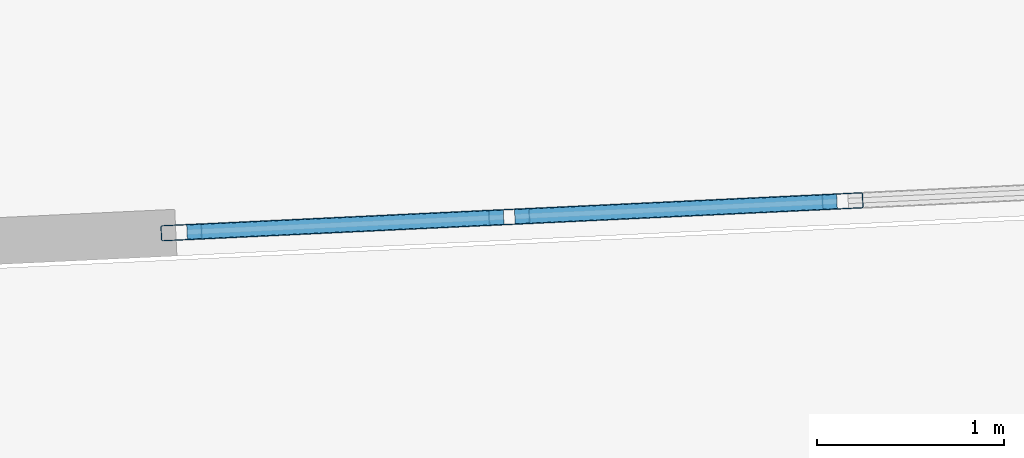
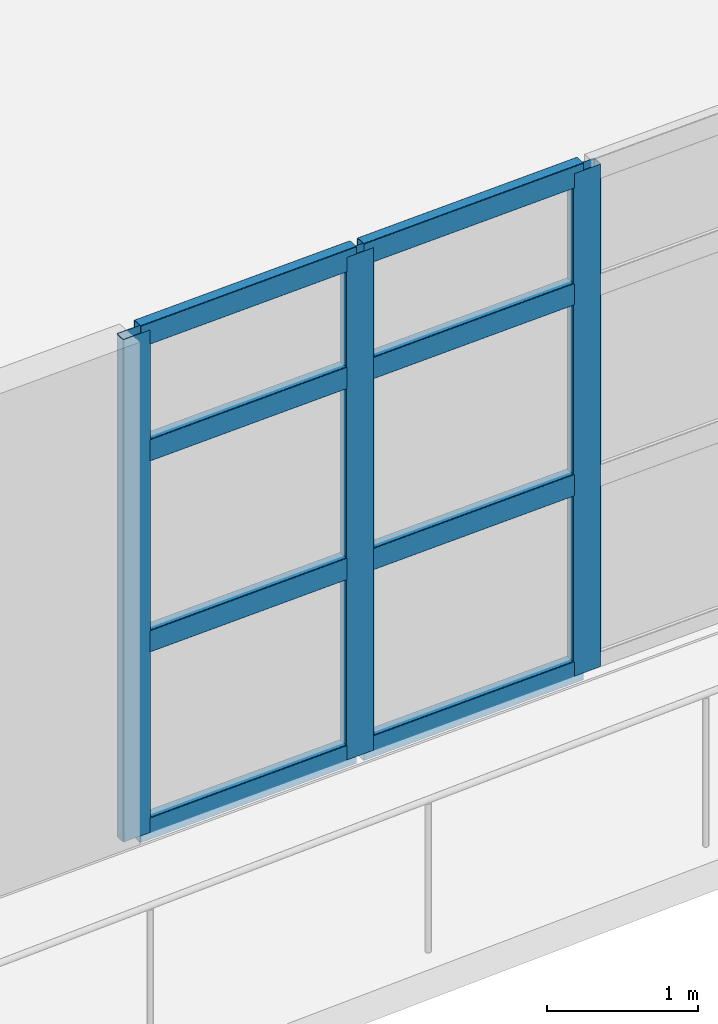
# One storey, part 2 of 22: 11 members, 1 element without a shape of its own.
"""IFC4 building model written with IfcOpenShell, lengths in metres."""

from ifc_helpers import new_model, si_unit, direction, frame, origin, origin_2d, place, context, subcontext, project, spatial, hollow_rectangle, extrude, material, layer, layer_set, material_profile, profile_set, type_object, element, aggregate, save


model = new_model("IFC4")

# Units and contexts
model_context = context("Model", 3, precision=1e-05, world=origin(), true_north=direction((0.0, 1.0)))
body_context = subcontext(model_context, "Body", "Model", "MODEL_VIEW")
ifc_project = project(units=[si_unit("LENGTHUNIT", "METRE"), si_unit("AREAUNIT", "SQUARE_METRE"), si_unit("VOLUMEUNIT", "CUBIC_METRE"), si_unit("PLANEANGLEUNIT", "RADIAN"), si_unit("MASSUNIT", "GRAM", prefix="KILO")], contexts=[model_context])

# Site, building, storey
site_placement = place(None, origin())
site = spatial("IfcSite", under=ifc_project, at=site_placement, CompositionType="ELEMENT")
building_placement = place(site_placement, origin())
building = spatial("IfcBuilding", under=site, at=building_placement, Name="Qingluan Cross Belvedere", CompositionType="ELEMENT")
storey_placement = place(building_placement, frame((0.0, 0.0, 294.0)))
storey = spatial("IfcBuildingStorey", under=building, at=storey_placement, Name="L73", CompositionType="ELEMENT", Elevation=294.0)

# Curtain wall, members
ifc_material_1 = material(Name="Thermally broken aluminium and Low-E glass", Category="aluminium")
ifc_layer = layer(ifc_material_1, 0.179931640625, Name="ObservationCW_DamperGallery")
ifc_layer_set = layer_set([ifc_layer], Name="Thermally broken aluminium and Low-E glass")
curtain_wall_type = type_object("IfcCurtainWallType", Name="ObservationCW_DamperGallery", PredefinedType="USERDEFINED", material=ifc_layer_set)
curtain_wall_placement = place(storey_placement, origin())
curtain_wall = element("IfcCurtainWall", 1, at=curtain_wall_placement, inside=storey, type_object=curtain_wall_type, Name="ObservationCW_DamperGallery run env:cw:L73:S", ObjectType="OBSERVATION GLAZING WALL", PredefinedType="USERDEFINED")
ifc_material_2 = material(Name="Aluminium alloy 6063-T6", Category="aluminium")
ifc_material_profile_1 = material_profile(ifc_material_2, hollow_rectangle(XDim=0.0849609375, YDim=0.219970703125, WallThickness=0.0048828125, InnerFilletRadius=0.0048828125, OuterFilletRadius=0.010009765625, at=origin_2d()), Name="CWM220x85x5")
ifc_profile_set_1 = profile_set([ifc_material_profile_1], Name="Aluminium alloy 6063-T6")
member_type_1 = type_object("IfcMemberType", Name="CWMullion_220", PredefinedType="MULLION", material=ifc_profile_set_1)
member_1_placement = place(storey_placement, frame((-1.345947265625, -27.674072265625, 0.0), z_axis=(0.0, 0.0, 1.0), x_axis=(-0.047125155464, 0.998888992693, 0.0)))
member_1 = element("IfcMember", 2, at=member_1_placement, type_object=member_type_1, Name="CW-C1 mullion 1", PredefinedType="MULLION", context=body_context, shape_type="SweptSolid", body=[
    extrude(hollow_rectangle(XDim=0.0849609375, YDim=0.219970703125, WallThickness=0.0048828125, InnerFilletRadius=0.0048828125, OuterFilletRadius=0.010009765625, at=origin_2d()), origin(), (0.0, 0.0, 1.0), 4.06005859375),
])
member_2_placement = place(storey_placement, frame((0.407470703125, -27.591552734375, 0.0), z_axis=(0.0, 0.0, 1.0), x_axis=(-0.047125155464, 0.998888992693, 0.0)))
member_2 = element("IfcMember", 3, at=member_2_placement, type_object=member_type_1, Name="CW-C1 mullion 2", PredefinedType="MULLION", context=body_context, shape_type="SweptSolid", body=[
    extrude(hollow_rectangle(XDim=0.0849609375, YDim=0.219970703125, WallThickness=0.0048828125, InnerFilletRadius=0.0048828125, OuterFilletRadius=0.010009765625, at=origin_2d()), origin(), (0.0, 0.0, 1.0), 4.06005859375),
])
member_3_placement = place(storey_placement, frame((2.19091796875, -27.50732421875, 0.0), z_axis=(0.0, 0.0, 1.0), x_axis=(-0.047125155464, 0.998888992693, 0.0)))
member_3 = element("IfcMember", 4, at=member_3_placement, type_object=member_type_1, Name="CW-C1 mullion 3", PredefinedType="MULLION", context=body_context, shape_type="SweptSolid", body=[
    extrude(hollow_rectangle(XDim=0.0849609375, YDim=0.219970703125, WallThickness=0.0048828125, InnerFilletRadius=0.0048828125, OuterFilletRadius=0.010009765625, at=origin_2d()), origin(), (0.0, 0.0, 1.0), 4.06005859375),
])
ifc_material_3 = material(Name="Aluminium alloy 6063-T6", Category="aluminium")
ifc_material_profile_2 = material_profile(ifc_material_3, hollow_rectangle(XDim=0.0849609375, YDim=0.179931640625, WallThickness=0.00390625, InnerFilletRadius=0.00390625, OuterFilletRadius=0.008056640625, at=origin_2d()), Name="CWT180x85x4")
ifc_profile_set_2 = profile_set([ifc_material_profile_2], Name="Aluminium alloy 6063-T6")
member_type_2 = type_object("IfcMemberType", Name="CWTransom_180", PredefinedType="USERDEFINED", material=ifc_profile_set_2)
member_4_placement = place(storey_placement, frame((-1.31591796875, -27.6728515625, 0.030029296875), z_axis=(0.998884044571, 0.047229921669, 0.0), x_axis=(-0.047229921669, 0.998884044571, 0.0)))
member_4 = element("IfcMember", 5, at=member_4_placement, type_object=member_type_2, Name="CW-C1 transom 1.1", ObjectType="TRANSOM", PredefinedType="USERDEFINED", context=body_context, shape_type="SweptSolid", body=[
    extrude(hollow_rectangle(XDim=0.0849609375, YDim=0.179931640625, WallThickness=0.00390625, InnerFilletRadius=0.00390625, OuterFilletRadius=0.008056640625, at=origin_2d()), origin(), (0.0, 0.0, 1.0), 1.695556640625),
])
member_5_placement = place(storey_placement, frame((-1.31591796875, -27.6728515625, 1.54296875), z_axis=(0.998884044571, 0.047229921669, 0.0), x_axis=(-0.047229921669, 0.998884044571, 0.0)))
member_5 = element("IfcMember", 6, at=member_5_placement, type_object=member_type_2, Name="CW-C1 transom 1.2", ObjectType="TRANSOM", PredefinedType="USERDEFINED", context=body_context, shape_type="SweptSolid", body=[
    extrude(hollow_rectangle(XDim=0.0849609375, YDim=0.179931640625, WallThickness=0.00390625, InnerFilletRadius=0.00390625, OuterFilletRadius=0.008056640625, at=origin_2d()), origin(), (0.0, 0.0, 1.0), 1.695556640625),
])
member_6_placement = place(storey_placement, frame((-1.31591796875, -27.6728515625, 3.0859375), z_axis=(0.998884044571, 0.047229921669, 0.0), x_axis=(-0.047229921669, 0.998884044571, 0.0)))
member_6 = element("IfcMember", 7, at=member_6_placement, type_object=member_type_2, Name="CW-C1 transom 1.3", ObjectType="TRANSOM", PredefinedType="USERDEFINED", context=body_context, shape_type="SweptSolid", body=[
    extrude(hollow_rectangle(XDim=0.0849609375, YDim=0.179931640625, WallThickness=0.00390625, InnerFilletRadius=0.00390625, OuterFilletRadius=0.008056640625, at=origin_2d()), origin(), (0.0, 0.0, 1.0), 1.695556640625),
])
member_7_placement = place(storey_placement, frame((-1.31591796875, -27.6728515625, 4.030029296875), z_axis=(0.998884044571, 0.047229921669, 0.0), x_axis=(-0.047229921669, 0.998884044571, 0.0)))
member_7 = element("IfcMember", 8, at=member_7_placement, type_object=member_type_2, Name="CW-C1 transom 1.4", ObjectType="TRANSOM", PredefinedType="USERDEFINED", context=body_context, shape_type="SweptSolid", body=[
    extrude(hollow_rectangle(XDim=0.0849609375, YDim=0.179931640625, WallThickness=0.00390625, InnerFilletRadius=0.00390625, OuterFilletRadius=0.008056640625, at=origin_2d()), origin(), (0.0, 0.0, 1.0), 1.695556640625),
])
member_8_placement = place(storey_placement, frame((0.4375, -27.590087890625, 0.030029296875), z_axis=(0.998889168986, 0.047121418511, 0.0), x_axis=(-0.047121418511, 0.998889168986, 0.0)))
member_8 = element("IfcMember", 9, at=member_8_placement, type_object=member_type_2, Name="CW-C1 transom 2.1", ObjectType="TRANSOM", PredefinedType="USERDEFINED", context=body_context, shape_type="SweptSolid", body=[
    extrude(hollow_rectangle(XDim=0.0849609375, YDim=0.179931640625, WallThickness=0.00390625, InnerFilletRadius=0.00390625, OuterFilletRadius=0.008056640625, at=origin_2d()), origin(), (0.0, 0.0, 1.0), 1.725341796875),
])
member_9_placement = place(storey_placement, frame((0.4375, -27.590087890625, 1.54296875), z_axis=(0.998889168986, 0.047121418511, 0.0), x_axis=(-0.047121418511, 0.998889168986, 0.0)))
member_9 = element("IfcMember", 10, at=member_9_placement, type_object=member_type_2, Name="CW-C1 transom 2.2", ObjectType="TRANSOM", PredefinedType="USERDEFINED", context=body_context, shape_type="SweptSolid", body=[
    extrude(hollow_rectangle(XDim=0.0849609375, YDim=0.179931640625, WallThickness=0.00390625, InnerFilletRadius=0.00390625, OuterFilletRadius=0.008056640625, at=origin_2d()), origin(), (0.0, 0.0, 1.0), 1.725341796875),
])
member_10_placement = place(storey_placement, frame((0.4375, -27.590087890625, 3.0859375), z_axis=(0.998889168986, 0.047121418511, 0.0), x_axis=(-0.047121418511, 0.998889168986, 0.0)))
member_10 = element("IfcMember", 11, at=member_10_placement, type_object=member_type_2, Name="CW-C1 transom 2.3", ObjectType="TRANSOM", PredefinedType="USERDEFINED", context=body_context, shape_type="SweptSolid", body=[
    extrude(hollow_rectangle(XDim=0.0849609375, YDim=0.179931640625, WallThickness=0.00390625, InnerFilletRadius=0.00390625, OuterFilletRadius=0.008056640625, at=origin_2d()), origin(), (0.0, 0.0, 1.0), 1.725341796875),
])
member_11_placement = place(storey_placement, frame((0.4375, -27.590087890625, 4.030029296875), z_axis=(0.998889168986, 0.047121418511, 0.0), x_axis=(-0.047121418511, 0.998889168986, 0.0)))
member_11 = element("IfcMember", 12, at=member_11_placement, type_object=member_type_2, Name="CW-C1 transom 2.4", ObjectType="TRANSOM", PredefinedType="USERDEFINED", context=body_context, shape_type="SweptSolid", body=[
    extrude(hollow_rectangle(XDim=0.0849609375, YDim=0.179931640625, WallThickness=0.00390625, InnerFilletRadius=0.00390625, OuterFilletRadius=0.008056640625, at=origin_2d()), origin(), (0.0, 0.0, 1.0), 1.725341796875),
])
aggregate(curtain_wall, [member_1, member_2, member_3, member_4, member_5, member_6, member_7, member_8, member_9, member_10, member_11])

save(model, "model.ifc")
